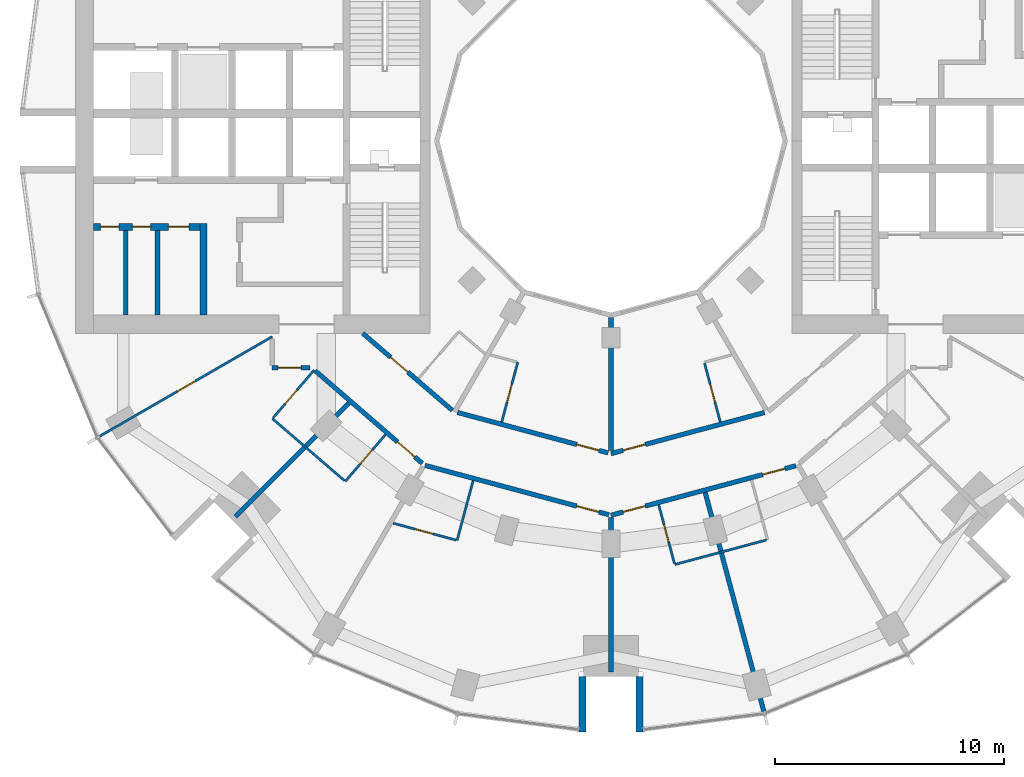
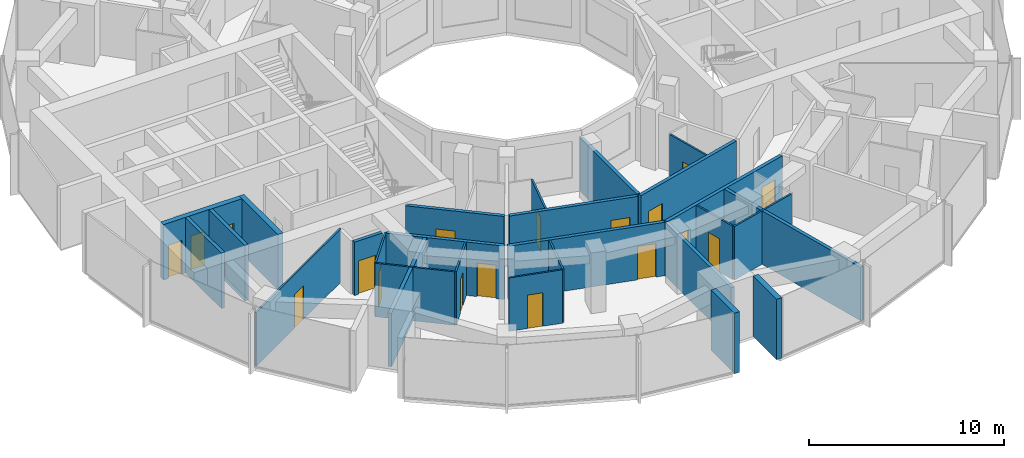
# One storey, part 8 of 15: 27 walls, 18 doors, 18 openings.
"""IFC4 building model written with IfcOpenShell, lengths in metres."""

from ifc_helpers import new_model, si_unit, direction, frame, frame_2d, origin, place, context, subcontext, project, spatial, rectangle, extrude, material, layer, layer_set, type_object, element, fill, save


model = new_model("IFC4")

# Units and contexts
model_context = context("Model", 3, precision=1e-05, world=origin(), true_north=direction((0.0, 1.0)))
body_context = subcontext(model_context, "Body", "Model", "MODEL_VIEW")
ifc_project = project(units=[si_unit("LENGTHUNIT", "METRE"), si_unit("AREAUNIT", "SQUARE_METRE"), si_unit("VOLUMEUNIT", "CUBIC_METRE"), si_unit("PLANEANGLEUNIT", "RADIAN"), si_unit("MASSUNIT", "GRAM", prefix="KILO")], contexts=[model_context])

# Site, building, storey
site_placement = place(None, origin())
site = spatial("IfcSite", under=ifc_project, at=site_placement, CompositionType="ELEMENT")
building_placement = place(site_placement, origin())
building = spatial("IfcBuilding", under=site, at=building_placement, Name="Torre Brocal", CompositionType="ELEMENT")
storey_placement = place(building_placement, frame((0.0, 0.0, 32.60009765625)))
storey = spatial("IfcBuildingStorey", under=building, at=storey_placement, Name="L06", CompositionType="ELEMENT", Elevation=32.60009765625)

# Walls
ifc_material_1 = material(Name="Masonry block", Category="masonry")
ifc_layer_1 = layer(ifc_material_1, 0.199951171875)
ifc_layer_set_1 = layer_set([ifc_layer_1], Name="Masonry block")
wall_type_1 = type_object("IfcWallType", Name="CORE PARTITION 200", PredefinedType="PARTITIONING", material=ifc_layer_set_1)
for number, where, z_axis, x_axis, name in (
    (1, (60.18994140625, 71.10009765625, 0.0), (0.0, 0.0, 1.0), (0.0, -1.0, 0.0), "Wall CP200"),
    (2, (58.794921875, 71.10009765625, 0.0), (0.0, 0.0, 1.0), (0.0, -1.0, 0.0), "Wall CP200"),
):
    element("IfcWall", number, at=place(storey_placement, frame(where, z_axis=z_axis, x_axis=x_axis)), inside=storey, type_object=wall_type_1, Name=name, PredefinedType="PARTITIONING", context=body_context, shape_type="SweptSolid", body=[
        extrude(rectangle(XDim=3.7001953125, YDim=0.199951171875, at=frame_2d((1.85009765625, 0.0))), origin(), (0.0, 0.0, 1.0), 3.47998046875),
    ])
ifc_material_2 = material(Name="Concrete C80", Category="concrete")
ifc_layer_2 = layer(ifc_material_2, 0.300048828125)
ifc_layer_set_2 = layer_set([ifc_layer_2], Name="Concrete C80")
wall_type_2 = type_object("IfcWallType", Name="CORE WALL 300 C80", PredefinedType="SHEAR", material=ifc_layer_set_2)
wall_1_placement = place(storey_placement, frame((62.199951171875, 71.39990234375, 0.0), z_axis=(0.0, 0.0, 1.0), x_axis=(0.0, -1.0, 0.0)))
element("IfcWall", 3, at=wall_1_placement, inside=storey, type_object=wall_type_2, Name="Wall CW300-80", PredefinedType="SHEAR", context=body_context, shape_type="SweptSolid", body=[
    extrude(rectangle(XDim=4.0, YDim=0.300048828125, at=frame_2d((2.0, 0.0))), origin(), (0.0, 0.0, 1.0), 3.47998046875),
])

# Wall, openings, doors
wall_2_placement = place(storey_placement, frame((62.050048828125, 71.25, 0.0), z_axis=(0.0, 0.0, 1.0), x_axis=(-1.0, 0.0, 0.0)))
wall_2 = element("IfcWall", 4, at=wall_2_placement, inside=storey, type_object=wall_type_2, Name="Wall CW300-80", PredefinedType="SHEAR", context=body_context, shape_type="SweptSolid", body=[
    extrude(rectangle(XDim=4.650146484375, YDim=0.300048828125, at=frame_2d((2.3251953125, 0.0))), origin(), (0.0, 0.0, 1.0), 3.47998046875),
])
opening_1_placement = place(wall_2_placement, frame((0.47998046875, 0.0, 0.0)))
opening_1 = element("IfcOpeningElement", 5, at=opening_1_placement, cuts=wall_2, Name="Opening W-D05", PredefinedType="OPENING", context=body_context, shape_type="SweptSolid", body=[
    extrude(rectangle(XDim=0.89990234375, YDim=2.10009765625, at=frame_2d((0.449951171875, 1.050048828125))), frame((0.0, 0.159912109375, 0.0), z_axis=(0.0, -1.0, 0.0), x_axis=(1.0, 0.0, 0.0)), (0.0, 0.0, 1.0), 0.320068359375),
])
opening_2_placement = place(wall_2_placement, frame((2.157470703125, 0.0, 0.0)))
opening_2 = element("IfcOpeningElement", 6, at=opening_2_placement, cuts=wall_2, Name="Opening W-D22", PredefinedType="OPENING", context=body_context, shape_type="SweptSolid", body=[
    extrude(rectangle(XDim=0.800048828125, YDim=2.10009765625, at=frame_2d((0.39990234375, 1.050048828125))), frame((0.0, 0.159912109375, 0.0), z_axis=(0.0, -1.0, 0.0), x_axis=(1.0, 0.0, 0.0)), (0.0, 0.0, 1.0), 0.320068359375),
])
opening_3_placement = place(wall_2_placement, frame((3.552490234375, 0.0, 0.0)))
opening_3 = element("IfcOpeningElement", 7, at=opening_3_placement, cuts=wall_2, Name="Opening W-D25", PredefinedType="OPENING", context=body_context, shape_type="SweptSolid", body=[
    extrude(rectangle(XDim=0.800048828125, YDim=2.10009765625, at=frame_2d((0.39990234375, 1.050048828125))), frame((0.0, 0.159912109375, 0.0), z_axis=(0.0, -1.0, 0.0), x_axis=(1.0, 0.0, 0.0)), (0.0, 0.0, 1.0), 0.320068359375),
])
ifc_material_3 = material(Name="Steel A653", Category="steel")
door_type_1 = type_object("IfcDoorType", Name="ROOM DOOR FD30S 800X2100", OperationType="SINGLE_SWING_LEFT", PredefinedType="DOOR", material=ifc_material_3)
door_1_placement = place(opening_2_placement, origin())
door_1 = element("IfcDoor", 8, at=door_1_placement, inside=storey, type_object=door_type_1, Name="Door W-D22", OperationType="SINGLE_SWING_RIGHT", OverallHeight=2.10009765625, OverallWidth=0.800048828125, PredefinedType="DOOR", context=body_context, shape_type="SweptSolid", body=[
    extrude(rectangle(XDim=0.800048828125, YDim=2.10009765625, at=frame_2d((0.39990234375, 1.050048828125))), frame((0.0, 0.02490234375, 0.0), z_axis=(0.0, -1.0, 0.0), x_axis=(1.0, 0.0, 0.0)), (0.0, 0.0, 1.0), 0.050048828125),
])
fill(opening_2, door_1)
door_2_placement = place(opening_3_placement, origin())
door_2 = element("IfcDoor", 9, at=door_2_placement, inside=storey, type_object=door_type_1, Name="Door W-D25", OperationType="SINGLE_SWING_LEFT", OverallHeight=2.10009765625, OverallWidth=0.800048828125, PredefinedType="DOOR", context=body_context, shape_type="SweptSolid", body=[
    extrude(rectangle(XDim=0.800048828125, YDim=2.10009765625, at=frame_2d((0.39990234375, 1.050048828125))), frame((0.0, 0.02490234375, 0.0), z_axis=(0.0, -1.0, 0.0), x_axis=(1.0, 0.0, 0.0)), (0.0, 0.0, 1.0), 0.050048828125),
])
fill(opening_3, door_2)
ifc_material_4 = material(Name="Steel A653", Category="steel")
door_type_2 = type_object("IfcDoorType", Name="ROOM DOOR FD30S 900X2100", OperationType="SINGLE_SWING_LEFT", PredefinedType="DOOR", material=ifc_material_4)
door_3_placement = place(opening_1_placement, origin())
door_3 = element("IfcDoor", 10, at=door_3_placement, inside=storey, type_object=door_type_2, Name="Door W-D05", OperationType="SINGLE_SWING_RIGHT", OverallHeight=2.10009765625, OverallWidth=0.89990234375, PredefinedType="DOOR", context=body_context, shape_type="SweptSolid", body=[
    extrude(rectangle(XDim=0.89990234375, YDim=2.10009765625, at=frame_2d((0.449951171875, 1.050048828125))), frame((0.0, 0.02490234375, 0.0), z_axis=(0.0, -1.0, 0.0), x_axis=(1.0, 0.0, 0.0)), (0.0, 0.0, 1.0), 0.050048828125),
])
fill(opening_1, door_3)

# Walls
ifc_material_5 = material(Name="Concrete C80", Category="concrete")
ifc_layer_3 = layer(ifc_material_5, 0.300048828125)
ifc_layer_set_3 = layer_set([ifc_layer_3], Name="Concrete C80")
wall_type_3 = type_object("IfcWallType", Name="NOTCH RETURN WALL 300 C80", PredefinedType="NOTDEFINED", material=ifc_layer_set_3)
for number, where, z_axis, x_axis, name in (
    (11, (78.75, 51.60009765625, 0.0), (0.0, 0.0, 1.0), (0.0, -1.0, 0.0), "NOTCH RETURN WALL"),
    (12, (81.25, 51.60009765625, 0.0), (0.0, 0.0, 1.0), (0.0, -1.0, 0.0), "NOTCH RETURN WALL"),
):
    element("IfcWall", number, at=place(storey_placement, frame(where, z_axis=z_axis, x_axis=x_axis)), inside=storey, type_object=wall_type_3, Name=name, PredefinedType="NOTDEFINED", context=body_context, shape_type="SweptSolid", body=[
        extrude(rectangle(XDim=2.415771484375, YDim=0.300048828125, at=frame_2d((1.2080078125, 0.0))), origin(), (0.0, 0.0, 1.0), 3.7998046875),
    ])

# Wall, opening, door
ifc_material_6 = material(Name="Gypsum board", Category="Gypsum")
ifc_layer_4 = layer(ifc_material_6, 0.10009765625)
ifc_layer_set_4 = layer_set([ifc_layer_4], Name="Gypsum board")
wall_type_4 = type_object("IfcWallType", Name="PARTITION 100", PredefinedType="PARTITIONING", material=ifc_layer_set_4)
wall_3_placement = place(storey_placement, frame((57.65869140625, 62.10107421875, 0.0), z_axis=(0.0, 0.0, 1.0), x_axis=(0.86602264145, 0.500004784474, 0.0)))
wall_3 = element("IfcWall", 13, at=wall_3_placement, inside=storey, type_object=wall_type_4, Name="ROOM PARTITION", PredefinedType="PARTITIONING", context=body_context, shape_type="SweptSolid", body=[
    extrude(rectangle(XDim=8.7080078125, YDim=0.10009765625, at=frame_2d((4.35400390625, 0.0))), origin(), (0.0, 0.0, 1.0), 3.349853515625),
])
opening_4_placement = place(wall_3_placement, frame((3.928955078125, 0.0, 0.0)))
opening_4 = element("IfcOpeningElement", 14, at=opening_4_placement, cuts=wall_3, Name="Opening H01-D42", PredefinedType="OPENING", context=body_context, shape_type="SweptSolid", body=[
    extrude(rectangle(XDim=0.89990234375, YDim=2.10009765625, at=frame_2d((0.449951171875, 1.050048828125))), frame((0.0, 0.06005859375, 0.0), z_axis=(0.0, -1.0, 0.0), x_axis=(1.0, 0.0, 0.0)), (0.0, 0.0, 1.0), 0.1201171875),
])
ifc_material_7 = material(Name="Timber", Category="wood")
door_type_3 = type_object("IfcDoorType", Name="ROOM DOOR 900X2100", OperationType="SINGLE_SWING_LEFT", PredefinedType="DOOR", material=ifc_material_7)
door_4_placement = place(opening_4_placement, origin())
door_4 = element("IfcDoor", 15, at=door_4_placement, inside=storey, type_object=door_type_3, Name="H01-D42", OperationType="SINGLE_SWING_RIGHT", OverallHeight=2.10009765625, OverallWidth=0.89990234375, PredefinedType="DOOR", context=body_context, shape_type="SweptSolid", body=[
    extrude(rectangle(XDim=0.89990234375, YDim=2.10009765625, at=frame_2d((0.449951171875, 1.050048828125))), frame((0.0, 0.02490234375, 0.0), z_axis=(0.0, -1.0, 0.0), x_axis=(1.0, 0.0, 0.0)), (0.0, 0.0, 1.0), 0.050048828125),
])
fill(opening_4, door_4)

wall_4_placement = place(storey_placement, frame((65.24169921875, 62.911865234375, 0.0), z_axis=(0.0, 0.0, 1.0), x_axis=(0.652069888227, 0.758158862553, 0.0)))
wall_4 = element("IfcWall", 16, at=wall_4_placement, inside=storey, type_object=wall_type_4, Name="BATHROOM WALL", PredefinedType="PARTITIONING", context=body_context, shape_type="SweptSolid", body=[
    extrude(rectangle(XDim=2.75, YDim=0.10009765625, at=frame_2d((1.375, 0.0))), origin(), (0.0, 0.0, 1.0), 3.349853515625),
])
opening_5_placement = place(wall_4_placement, frame((0.800048828125, 0.0, 0.0)))
opening_5 = element("IfcOpeningElement", 17, at=opening_5_placement, cuts=wall_4, Name="Opening H01-D41", PredefinedType="OPENING", context=body_context, shape_type="SweptSolid", body=[
    extrude(rectangle(XDim=0.800048828125, YDim=2.10009765625, at=frame_2d((0.39990234375, 1.050048828125))), frame((0.0, 0.06005859375, 0.0), z_axis=(0.0, -1.0, 0.0), x_axis=(1.0, 0.0, 0.0)), (0.0, 0.0, 1.0), 0.1201171875),
])
ifc_material_8 = material(Name="Timber", Category="wood")
door_type_4 = type_object("IfcDoorType", Name="BATHROOM DOOR 800X2100", OperationType="SINGLE_SWING_LEFT", PredefinedType="DOOR", material=ifc_material_8)
door_5_placement = place(opening_5_placement, frame((0.800048828125, 0.0, 0.0), z_axis=(0.0, 0.0, 1.0), x_axis=(-1.0, 0.0, 0.0)))
door_5 = element("IfcDoor", 18, at=door_5_placement, inside=storey, type_object=door_type_4, Name="H01-D41", OperationType="SINGLE_SWING_RIGHT", OverallHeight=2.10009765625, OverallWidth=0.800048828125, PredefinedType="DOOR", context=body_context, shape_type="SweptSolid", body=[
    extrude(rectangle(XDim=0.800048828125, YDim=2.10009765625, at=frame_2d((0.39990234375, 1.050048828125))), frame((0.0, 0.02490234375, 0.0), z_axis=(0.0, -1.0, 0.0), x_axis=(1.0, 0.0, 0.0)), (0.0, 0.0, 1.0), 0.050048828125),
])
fill(opening_5, door_5)

# Wall
wall_5_placement = place(storey_placement, frame((65.209228515625, 62.87451171875, 0.0), z_axis=(0.0, 0.0, 1.0), x_axis=(0.757930378138, -0.652335451969, 0.0)))
element("IfcWall", 19, at=wall_5_placement, inside=storey, type_object=wall_type_4, Name="BATHROOM WALL", PredefinedType="PARTITIONING", context=body_context, shape_type="SweptSolid", body=[
    extrude(rectangle(XDim=4.150146484375, YDim=0.10009765625, at=frame_2d((2.0751953125, 0.0))), origin(), (0.0, 0.0, 1.0), 3.349853515625),
])

# Wall, opening, door
wall_6_placement = place(storey_placement, frame((68.39306640625, 60.135009765625, 0.0), z_axis=(0.0, 0.0, 1.0), x_axis=(0.652061182569, 0.758166349944, 0.0)))
wall_6 = element("IfcWall", 20, at=wall_6_placement, inside=storey, type_object=wall_type_4, Name="BATHROOM WALL", PredefinedType="PARTITIONING", context=body_context, shape_type="SweptSolid", body=[
    extrude(rectangle(XDim=2.689697265625, YDim=0.10009765625, at=frame_2d((1.3447265625, 0.0))), origin(), (0.0, 0.0, 1.0), 3.349853515625),
])
opening_6_placement = place(wall_6_placement, frame((1.0, 0.0, 0.0)))
opening_6 = element("IfcOpeningElement", 21, at=opening_6_placement, cuts=wall_6, Name="Opening H01-D39", PredefinedType="OPENING", context=body_context, shape_type="SweptSolid", body=[
    extrude(rectangle(XDim=0.800048828125, YDim=2.10009765625, at=frame_2d((0.39990234375, 1.050048828125))), frame((0.0, 0.06005859375, 0.0), z_axis=(0.0, -1.0, 0.0), x_axis=(1.0, 0.0, 0.0)), (0.0, 0.0, 1.0), 0.1201171875),
])
door_6_placement = place(opening_6_placement, origin())
door_6 = element("IfcDoor", 22, at=door_6_placement, inside=storey, type_object=door_type_4, Name="H01-D39", OperationType="SINGLE_SWING_RIGHT", OverallHeight=2.10009765625, OverallWidth=0.800048828125, PredefinedType="DOOR", context=body_context, shape_type="SweptSolid", body=[
    extrude(rectangle(XDim=0.800048828125, YDim=2.10009765625, at=frame_2d((0.39990234375, 1.050048828125))), frame((0.0, 0.02490234375, 0.0), z_axis=(0.0, -1.0, 0.0), x_axis=(1.0, 0.0, 0.0)), (0.0, 0.0, 1.0), 0.050048828125),
])
fill(opening_6, door_6)

wall_7_placement = place(storey_placement, frame((70.484375, 58.305419921875, 0.0), z_axis=(0.0, 0.0, 1.0), x_axis=(0.965904703781, -0.258897862512, 0.0)))
wall_7 = element("IfcWall", 23, at=wall_7_placement, inside=storey, type_object=wall_type_4, Name="BATHROOM WALL", PredefinedType="PARTITIONING", context=body_context, shape_type="SweptSolid", body=[
    extrude(rectangle(XDim=2.84130859375, YDim=0.10009765625, at=frame_2d((1.420654296875, 0.0))), origin(), (0.0, 0.0, 1.0), 3.349853515625),
])
opening_7_placement = place(wall_7_placement, frame((0.990478515625, 0.0, 0.0)))
opening_7 = element("IfcOpeningElement", 24, at=opening_7_placement, cuts=wall_7, Name="Opening H01-D37", PredefinedType="OPENING", context=body_context, shape_type="SweptSolid", body=[
    extrude(rectangle(XDim=0.800048828125, YDim=2.10009765625, at=frame_2d((0.39990234375, 1.050048828125))), frame((0.0, 0.06005859375, 0.0), z_axis=(0.0, -1.0, 0.0), x_axis=(1.0, 0.0, 0.0)), (0.0, 0.0, 1.0), 0.1201171875),
])
door_7_placement = place(opening_7_placement, origin())
door_7 = element("IfcDoor", 25, at=door_7_placement, inside=storey, type_object=door_type_4, Name="H01-D37", OperationType="SINGLE_SWING_LEFT", OverallHeight=2.10009765625, OverallWidth=0.800048828125, PredefinedType="DOOR", context=body_context, shape_type="SweptSolid", body=[
    extrude(rectangle(XDim=0.800048828125, YDim=2.10009765625, at=frame_2d((0.39990234375, 1.050048828125))), frame((0.0, 0.02490234375, 0.0), z_axis=(0.0, -1.0, 0.0), x_axis=(1.0, 0.0, 0.0)), (0.0, 0.0, 1.0), 0.050048828125),
])
fill(opening_7, door_7)

# Wall
wall_8_placement = place(storey_placement, frame((73.277099609375, 57.556884765625, 0.0), z_axis=(0.0, 0.0, 1.0), x_axis=(0.258928960762, 0.965896367774, 0.0)))
element("IfcWall", 26, at=wall_8_placement, inside=storey, type_object=wall_type_4, Name="BATHROOM WALL", PredefinedType="PARTITIONING", context=body_context, shape_type="SweptSolid", body=[
    extrude(rectangle(XDim=2.699462890625, YDim=0.10009765625, at=frame_2d((1.349609375, 0.0))), origin(), (0.0, 0.0, 1.0), 3.349853515625),
])

# Wall, opening, door
wall_9_placement = place(storey_placement, frame((75.226806640625, 62.728759765625, 0.0), z_axis=(0.0, 0.0, 1.0), x_axis=(0.258945475746, 0.965891940432, 0.0)))
wall_9 = element("IfcWall", 27, at=wall_9_placement, inside=storey, type_object=wall_type_4, Name="BATHROOM WALL", PredefinedType="PARTITIONING", context=body_context, shape_type="SweptSolid", body=[
    extrude(rectangle(XDim=2.7001953125, YDim=0.10009765625, at=frame_2d((1.35009765625, 0.0))), origin(), (0.0, 0.0, 1.0), 3.349853515625),
])
opening_8_placement = place(wall_9_placement, frame((0.900146484375, 0.0, 0.0)))
opening_8 = element("IfcOpeningElement", 28, at=opening_8_placement, cuts=wall_9, Name="Opening H01-D47", PredefinedType="OPENING", context=body_context, shape_type="SweptSolid", body=[
    extrude(rectangle(XDim=0.800048828125, YDim=2.10009765625, at=frame_2d((0.39990234375, 1.050048828125))), frame((0.0, 0.06005859375, 0.0), z_axis=(0.0, -1.0, 0.0), x_axis=(1.0, 0.0, 0.0)), (0.0, 0.0, 1.0), 0.1201171875),
])
door_8_placement = place(opening_8_placement, origin())
door_8 = element("IfcDoor", 29, at=door_8_placement, inside=storey, type_object=door_type_4, Name="H01-D47", OperationType="SINGLE_SWING_LEFT", OverallHeight=2.10009765625, OverallWidth=0.800048828125, PredefinedType="DOOR", context=body_context, shape_type="SweptSolid", body=[
    extrude(rectangle(XDim=0.800048828125, YDim=2.10009765625, at=frame_2d((0.39990234375, 1.050048828125))), frame((0.0, 0.02490234375, 0.0), z_axis=(0.0, -1.0, 0.0), x_axis=(1.0, 0.0, 0.0)), (0.0, 0.0, 1.0), 0.050048828125),
])
fill(opening_8, door_8)

wall_10_placement = place(storey_placement, frame((82.083984375, 59.1083984375, 0.0), z_axis=(0.0, 0.0, 1.0), x_axis=(0.258591746437, -0.965986702121, 0.0)))
wall_10 = element("IfcWall", 30, at=wall_10_placement, inside=storey, type_object=wall_type_4, Name="BATHROOM WALL", PredefinedType="PARTITIONING", context=body_context, shape_type="SweptSolid", body=[
    extrude(rectangle(XDim=2.649169921875, YDim=0.10009765625, at=frame_2d((1.32470703125, 0.0))), origin(), (0.0, 0.0, 1.0), 3.349853515625),
])
opening_9_placement = place(wall_10_placement, frame((0.899658203125, 0.0, 0.0)))
opening_9 = element("IfcOpeningElement", 31, at=opening_9_placement, cuts=wall_10, Name="Opening H01-D35", PredefinedType="OPENING", context=body_context, shape_type="SweptSolid", body=[
    extrude(rectangle(XDim=0.800048828125, YDim=2.10009765625, at=frame_2d((0.39990234375, 1.050048828125))), frame((0.0, 0.06005859375, 0.0), z_axis=(0.0, -1.0, 0.0), x_axis=(1.0, 0.0, 0.0)), (0.0, 0.0, 1.0), 0.1201171875),
])
door_9_placement = place(opening_9_placement, origin())
door_9 = element("IfcDoor", 32, at=door_9_placement, inside=storey, type_object=door_type_4, Name="H01-D35", OperationType="SINGLE_SWING_LEFT", OverallHeight=2.10009765625, OverallWidth=0.800048828125, PredefinedType="DOOR", context=body_context, shape_type="SweptSolid", body=[
    extrude(rectangle(XDim=0.800048828125, YDim=2.10009765625, at=frame_2d((0.39990234375, 1.050048828125))), frame((0.0, 0.02490234375, 0.0), z_axis=(0.0, -1.0, 0.0), x_axis=(1.0, 0.0, 0.0)), (0.0, 0.0, 1.0), 0.050048828125),
])
fill(opening_9, door_9)

# Wall
wall_11_placement = place(storey_placement, frame((82.781982421875, 56.5009765625, 0.0), z_axis=(0.0, 0.0, 1.0), x_axis=(0.965999228418, 0.258544949083, 0.0)))
element("IfcWall", 33, at=wall_11_placement, inside=storey, type_object=wall_type_4, Name="BATHROOM WALL", PredefinedType="PARTITIONING", context=body_context, shape_type="SweptSolid", body=[
    extrude(rectangle(XDim=4.150146484375, YDim=0.10009765625, at=frame_2d((2.0751953125, 0.0))), origin(), (0.0, 0.0, 1.0), 3.349853515625),
])

# Wall, opening, door
wall_12_placement = place(storey_placement, frame((84.0869140625, 65.288818359375, 0.0), z_axis=(0.0, 0.0, 1.0), x_axis=(0.258929459649, -0.965896234037, 0.0)))
wall_12 = element("IfcWall", 34, at=wall_12_placement, inside=storey, type_object=wall_type_4, Name="BATHROOM WALL", PredefinedType="PARTITIONING", context=body_context, shape_type="SweptSolid", body=[
    extrude(rectangle(XDim=2.650390625, YDim=0.10009765625, at=frame_2d((1.3251953125, 0.0))), origin(), (0.0, 0.0, 1.0), 3.349853515625),
])
opening_10_placement = place(wall_12_placement, frame((0.9501953125, 0.0, 0.0)))
opening_10 = element("IfcOpeningElement", 35, at=opening_10_placement, cuts=wall_12, Name="Opening H01-D45", PredefinedType="OPENING", context=body_context, shape_type="SweptSolid", body=[
    extrude(rectangle(XDim=0.800048828125, YDim=2.10009765625, at=frame_2d((0.39990234375, 1.050048828125))), frame((0.0, 0.06005859375, 0.0), z_axis=(0.0, -1.0, 0.0), x_axis=(1.0, 0.0, 0.0)), (0.0, 0.0, 1.0), 0.1201171875),
])
door_10_placement = place(opening_10_placement, origin())
door_10 = element("IfcDoor", 36, at=door_10_placement, inside=storey, type_object=door_type_4, Name="H01-D45", OperationType="SINGLE_SWING_RIGHT", OverallHeight=2.10009765625, OverallWidth=0.800048828125, PredefinedType="DOOR", context=body_context, shape_type="SweptSolid", body=[
    extrude(rectangle(XDim=0.800048828125, YDim=2.10009765625, at=frame_2d((0.39990234375, 1.050048828125))), frame((0.0, 0.02490234375, 0.0), z_axis=(0.0, -1.0, 0.0), x_axis=(1.0, 0.0, 0.0)), (0.0, 0.0, 1.0), 0.050048828125),
])
fill(opening_10, door_10)

# Wall
ifc_material_9 = material(Name="Gypsum board", Category="Gypsum")
ifc_layer_5 = layer(ifc_material_9, 0.199951171875)
ifc_layer_set_5 = layer_set([ifc_layer_5], Name="Gypsum board")
wall_type_5 = type_object("IfcWallType", Name="PARTITION 200 EI60", PredefinedType="PARTITIONING", material=ifc_layer_set_5)
wall_13_placement = place(storey_placement, frame((63.59228515625, 58.59912109375, 0.0), z_axis=(0.0, 0.0, 1.0), x_axis=(0.707228748718, 0.706984792613, 0.0)))
element("IfcWall", 37, at=wall_13_placement, inside=storey, type_object=wall_type_5, Name="BATHROOM WALL", PredefinedType="PARTITIONING", context=body_context, shape_type="SweptSolid", body=[
    extrude(rectangle(XDim=7.00537109375, YDim=0.199951171875, at=frame_2d((3.502685546875, 0.0))), origin(), (0.0, 0.0, 1.0), 3.349853515625),
])

# Wall, opening, door
wall_14_placement = place(storey_placement, frame((65.199951171875, 65.10009765625, 0.0), z_axis=(0.0, 0.0, 1.0), x_axis=(1.0, 0.0, 0.0)))
wall_14 = element("IfcWall", 38, at=wall_14_placement, inside=storey, type_object=wall_type_5, Name="GUESTROOM CORRIDOR WALL", PredefinedType="PARTITIONING", context=body_context, shape_type="SweptSolid", body=[
    extrude(rectangle(XDim=1.655029296875, YDim=0.199951171875, at=frame_2d((0.82763671875, 0.0))), origin(), (0.0, 0.0, 1.0), 3.349853515625),
])
opening_11_placement = place(wall_14_placement, frame((0.25, 0.0, 0.0)))
opening_11 = element("IfcOpeningElement", 39, at=opening_11_placement, cuts=wall_14, Name="Opening H01-D40", PredefinedType="OPENING", context=body_context, shape_type="SweptSolid", body=[
    extrude(rectangle(XDim=1.0, YDim=2.10009765625, at=frame_2d((0.5, 1.050048828125))), frame((0.0, 0.10986328125, 0.0), z_axis=(0.0, -1.0, 0.0), x_axis=(1.0, 0.0, 0.0)), (0.0, 0.0, 1.0), 0.219970703125),
])
ifc_material_10 = material(Name="Timber", Category="wood")
door_type_5 = type_object("IfcDoorType", Name="FLAT ENTRY DOOR FD30S 1000X2100", OperationType="SINGLE_SWING_RIGHT", PredefinedType="DOOR", material=ifc_material_10)
door_11_placement = place(opening_11_placement, frame((1.0, 0.0, 0.0), z_axis=(0.0, 0.0, 1.0), x_axis=(-1.0, 0.0, 0.0)))
door_11 = element("IfcDoor", 40, at=door_11_placement, inside=storey, type_object=door_type_5, Name="H01-D40", OperationType="SINGLE_SWING_RIGHT", OverallHeight=2.10009765625, OverallWidth=1.0, PredefinedType="DOOR", context=body_context, shape_type="SweptSolid", body=[
    extrude(rectangle(XDim=1.0, YDim=2.10009765625, at=frame_2d((0.5, 1.050048828125))), frame((0.0, 0.02490234375, 0.0), z_axis=(0.0, -1.0, 0.0), x_axis=(1.0, 0.0, 0.0)), (0.0, 0.0, 1.0), 0.050048828125),
])
fill(opening_11, door_11)

wall_15_placement = place(storey_placement, frame((67.078125, 64.967529296875, 0.0), z_axis=(0.0, 0.0, 1.0), x_axis=(0.756371089567, -0.654142778656, 0.0)))
wall_15 = element("IfcWall", 41, at=wall_15_placement, inside=storey, type_object=wall_type_5, Name="GUESTROOM CORRIDOR WALL", PredefinedType="PARTITIONING", context=body_context, shape_type="SweptSolid", body=[
    extrude(rectangle(XDim=6.185302734375, YDim=0.199951171875, at=frame_2d((3.0927734375, 0.0))), origin(), (0.0, 0.0, 1.0), 3.349853515625),
])
opening_12_placement = place(wall_15_placement, frame((4.755126953125, 0.0, 0.0)))
opening_12 = element("IfcOpeningElement", 42, at=opening_12_placement, cuts=wall_15, Name="Opening H01-D38", PredefinedType="OPENING", context=body_context, shape_type="SweptSolid", body=[
    extrude(rectangle(XDim=1.0, YDim=2.10009765625, at=frame_2d((0.5, 1.050048828125))), frame((0.0, 0.10986328125, 0.0), z_axis=(0.0, -1.0, 0.0), x_axis=(1.0, 0.0, 0.0)), (0.0, 0.0, 1.0), 0.219970703125),
])
door_12_placement = place(opening_12_placement, frame((1.0, 0.0, 0.0), z_axis=(0.0, 0.0, 1.0), x_axis=(-1.0, 0.0, 0.0)))
door_12 = element("IfcDoor", 43, at=door_12_placement, inside=storey, type_object=door_type_5, Name="H01-D38", OperationType="SINGLE_SWING_LEFT", OverallHeight=2.10009765625, OverallWidth=1.0, PredefinedType="DOOR", context=body_context, shape_type="SweptSolid", body=[
    extrude(rectangle(XDim=1.0, YDim=2.10009765625, at=frame_2d((0.5, 1.050048828125))), frame((0.0, 0.02490234375, 0.0), z_axis=(0.0, -1.0, 0.0), x_axis=(1.0, 0.0, 0.0)), (0.0, 0.0, 1.0), 0.050048828125),
])
fill(opening_12, door_12)

wall_16_placement = place(storey_placement, frame((69.158203125, 66.60009765625, 0.0), z_axis=(0.0, 0.0, 1.0), x_axis=(0.757976058094, -0.652282373943, 0.0)))
wall_16 = element("IfcWall", 44, at=wall_16_placement, inside=storey, type_object=wall_type_5, Name="GUESTROOM CORRIDOR WALL", PredefinedType="PARTITIONING", context=body_context, shape_type="SweptSolid", body=[
    extrude(rectangle(XDim=5.160400390625, YDim=0.199951171875, at=frame_2d((2.580078125, 0.0))), origin(), (0.0, 0.0, 1.0), 3.349853515625),
])
opening_13_placement = place(wall_16_placement, frame((1.60009765625, 0.0, 0.0)))
opening_13 = element("IfcOpeningElement", 45, at=opening_13_placement, cuts=wall_16, Name="Opening H01-D48", PredefinedType="OPENING", context=body_context, shape_type="SweptSolid", body=[
    extrude(rectangle(XDim=1.0, YDim=2.10009765625, at=frame_2d((0.5, 1.050048828125))), frame((0.0, 0.10986328125, 0.0), z_axis=(0.0, -1.0, 0.0), x_axis=(1.0, 0.0, 0.0)), (0.0, 0.0, 1.0), 0.219970703125),
])
door_13_placement = place(opening_13_placement, origin())
door_13 = element("IfcDoor", 46, at=door_13_placement, inside=storey, type_object=door_type_5, Name="H01-D48", OperationType="SINGLE_SWING_RIGHT", OverallHeight=2.10009765625, OverallWidth=1.0, PredefinedType="DOOR", context=body_context, shape_type="SweptSolid", body=[
    extrude(rectangle(XDim=1.0, YDim=2.10009765625, at=frame_2d((0.5, 1.050048828125))), frame((0.0, 0.02490234375, 0.0), z_axis=(0.0, -1.0, 0.0), x_axis=(1.0, 0.0, 0.0)), (0.0, 0.0, 1.0), 0.050048828125),
])
fill(opening_13, door_13)

wall_17_placement = place(storey_placement, frame((71.877197265625, 60.831298828125, 0.0), z_axis=(0.0, 0.0, 1.0), x_axis=(0.965852509869, -0.259092510851, 0.0)))
wall_17 = element("IfcWall", 47, at=wall_17_placement, inside=storey, type_object=wall_type_5, Name="GUESTROOM CORRIDOR WALL", PredefinedType="PARTITIONING", context=body_context, shape_type="SweptSolid", body=[
    extrude(rectangle(XDim=8.319580078125, YDim=0.199951171875, at=frame_2d((4.15966796875, 0.0))), origin(), (0.0, 0.0, 1.0), 3.349853515625),
])
opening_14_placement = place(wall_17_placement, frame((6.859619140625, 0.0, 0.0)))
opening_14 = element("IfcOpeningElement", 48, at=opening_14_placement, cuts=wall_17, Name="Opening H01-D36", PredefinedType="OPENING", context=body_context, shape_type="SweptSolid", body=[
    extrude(rectangle(XDim=1.0, YDim=2.10009765625, at=frame_2d((0.5, 1.050048828125))), frame((0.0, 0.10986328125, 0.0), z_axis=(0.0, -1.0, 0.0), x_axis=(1.0, 0.0, 0.0)), (0.0, 0.0, 1.0), 0.219970703125),
])
door_14_placement = place(opening_14_placement, frame((1.0, 0.0, 0.0), z_axis=(0.0, 0.0, 1.0), x_axis=(-1.0, 0.0, 0.0)))
door_14 = element("IfcDoor", 49, at=door_14_placement, inside=storey, type_object=door_type_5, Name="H01-D36", OperationType="SINGLE_SWING_LEFT", OverallHeight=2.10009765625, OverallWidth=1.0, PredefinedType="DOOR", context=body_context, shape_type="SweptSolid", body=[
    extrude(rectangle(XDim=1.0, YDim=2.10009765625, at=frame_2d((0.5, 1.050048828125))), frame((0.0, 0.02490234375, 0.0), z_axis=(0.0, -1.0, 0.0), x_axis=(1.0, 0.0, 0.0)), (0.0, 0.0, 1.0), 0.050048828125),
])
fill(opening_14, door_14)

wall_18_placement = place(storey_placement, frame((73.296875, 63.142578125, 0.0), z_axis=(0.0, 0.0, 1.0), x_axis=(0.965859030528, -0.25906820173, 0.0)))
wall_18 = element("IfcWall", 50, at=wall_18_placement, inside=storey, type_object=wall_type_5, Name="GUESTROOM CORRIDOR WALL", PredefinedType="PARTITIONING", context=body_context, shape_type="SweptSolid", body=[
    extrude(rectangle(XDim=6.8095703125, YDim=0.199951171875, at=frame_2d((3.40478515625, 0.0))), origin(), (0.0, 0.0, 1.0), 3.349853515625),
])
opening_15_placement = place(wall_18_placement, frame((5.3896484375, 0.0, 0.0)))
opening_15 = element("IfcOpeningElement", 51, at=opening_15_placement, cuts=wall_18, Name="Opening H01-D46", PredefinedType="OPENING", context=body_context, shape_type="SweptSolid", body=[
    extrude(rectangle(XDim=1.0, YDim=2.10009765625, at=frame_2d((0.5, 1.050048828125))), frame((0.0, 0.10986328125, 0.0), z_axis=(0.0, -1.0, 0.0), x_axis=(1.0, 0.0, 0.0)), (0.0, 0.0, 1.0), 0.219970703125),
])
door_15_placement = place(opening_15_placement, origin())
door_15 = element("IfcDoor", 52, at=door_15_placement, inside=storey, type_object=door_type_5, Name="H01-D46", OperationType="SINGLE_SWING_RIGHT", OverallHeight=2.10009765625, OverallWidth=1.0, PredefinedType="DOOR", context=body_context, shape_type="SweptSolid", body=[
    extrude(rectangle(XDim=1.0, YDim=2.10009765625, at=frame_2d((0.5, 1.050048828125))), frame((0.0, 0.02490234375, 0.0), z_axis=(0.0, -1.0, 0.0), x_axis=(1.0, 0.0, 0.0)), (0.0, 0.0, 1.0), 0.050048828125),
])
fill(opening_15, door_15)

# Wall
wall_19_placement = place(storey_placement, frame((80.0, 51.801025390625, 0.0), z_axis=(0.0, 0.0, 1.0), x_axis=(0.0, 1.0, 0.0)))
element("IfcWall", 53, at=wall_19_placement, inside=storey, type_object=wall_type_5, Name="PARTY PARTITION", PredefinedType="PARTITIONING", context=body_context, shape_type="SweptSolid", body=[
    extrude(rectangle(XDim=6.761962890625, YDim=0.199951171875, at=frame_2d((3.380859375, 0.0))), origin(), (0.0, 0.0, 1.0), 3.349853515625),
])

# Wall, openings, doors
wall_20_placement = place(storey_placement, frame((79.999755859375, 58.65478515625, 0.0), z_axis=(0.0, 0.0, 1.0), x_axis=(0.965974635626, 0.258636817424, 0.0)))
wall_20 = element("IfcWall", 54, at=wall_20_placement, inside=storey, type_object=wall_type_5, Name="GUESTROOM CORRIDOR WALL", PredefinedType="PARTITIONING", context=body_context, shape_type="SweptSolid", body=[
    extrude(rectangle(XDim=8.359619140625, YDim=0.199951171875, at=frame_2d((4.1796875, 0.0))), origin(), (0.0, 0.0, 1.0), 3.349853515625),
])
opening_16_placement = place(wall_20_placement, frame((6.859619140625, 0.0, 0.0)))
opening_16 = element("IfcOpeningElement", 55, at=opening_16_placement, cuts=wall_20, Name="Opening H01-D32", PredefinedType="OPENING", context=body_context, shape_type="SweptSolid", body=[
    extrude(rectangle(XDim=1.0, YDim=2.10009765625, at=frame_2d((0.5, 1.050048828125))), frame((0.0, 0.10986328125, 0.0), z_axis=(0.0, -1.0, 0.0), x_axis=(1.0, 0.0, 0.0)), (0.0, 0.0, 1.0), 0.219970703125),
])
opening_17_placement = place(wall_20_placement, frame((0.550048828125, 0.0, 0.0)))
opening_17 = element("IfcOpeningElement", 56, at=opening_17_placement, cuts=wall_20, Name="Opening H01-D34", PredefinedType="OPENING", context=body_context, shape_type="SweptSolid", body=[
    extrude(rectangle(XDim=1.0, YDim=2.10009765625, at=frame_2d((0.5, 1.050048828125))), frame((0.0, 0.10986328125, 0.0), z_axis=(0.0, -1.0, 0.0), x_axis=(1.0, 0.0, 0.0)), (0.0, 0.0, 1.0), 0.219970703125),
])
door_16_placement = place(opening_16_placement, frame((1.0, 0.0, 0.0), z_axis=(0.0, 0.0, 1.0), x_axis=(-1.0, 0.0, 0.0)))
door_16 = element("IfcDoor", 57, at=door_16_placement, inside=storey, type_object=door_type_5, Name="H01-D32", OperationType="SINGLE_SWING_RIGHT", OverallHeight=2.10009765625, OverallWidth=1.0, PredefinedType="DOOR", context=body_context, shape_type="SweptSolid", body=[
    extrude(rectangle(XDim=1.0, YDim=2.10009765625, at=frame_2d((0.5, 1.050048828125))), frame((0.0, 0.02490234375, 0.0), z_axis=(0.0, -1.0, 0.0), x_axis=(1.0, 0.0, 0.0)), (0.0, 0.0, 1.0), 0.050048828125),
])
fill(opening_16, door_16)
door_17_placement = place(opening_17_placement, frame((1.0, 0.0, 0.0), z_axis=(0.0, 0.0, 1.0), x_axis=(-1.0, 0.0, 0.0)))
door_17 = element("IfcDoor", 58, at=door_17_placement, inside=storey, type_object=door_type_5, Name="H01-D34", OperationType="SINGLE_SWING_LEFT", OverallHeight=2.10009765625, OverallWidth=1.0, PredefinedType="DOOR", context=body_context, shape_type="SweptSolid", body=[
    extrude(rectangle(XDim=1.0, YDim=2.10009765625, at=frame_2d((0.5, 1.050048828125))), frame((0.0, 0.02490234375, 0.0), z_axis=(0.0, -1.0, 0.0), x_axis=(1.0, 0.0, 0.0)), (0.0, 0.0, 1.0), 0.050048828125),
])
fill(opening_17, door_17)

# Wall
wall_21_placement = place(storey_placement, frame((80.0, 61.47607421875, 0.0), z_axis=(0.0, 0.0, 1.0), x_axis=(0.0, 1.0, 0.0)))
element("IfcWall", 59, at=wall_21_placement, inside=storey, type_object=wall_type_5, Name="PARTY PARTITION", PredefinedType="PARTITIONING", context=body_context, shape_type="SweptSolid", body=[
    extrude(rectangle(XDim=5.824951171875, YDim=0.199951171875, at=frame_2d((2.91259765625, 0.0))), origin(), (0.0, 0.0, 1.0), 3.349853515625),
])

# Wall, opening, door
wall_22_placement = place(storey_placement, frame((80.0, 61.345947265625, 0.0), z_axis=(0.0, 0.0, 1.0), x_axis=(0.965924181808, 0.258825182312, 0.0)))
wall_22 = element("IfcWall", 60, at=wall_22_placement, inside=storey, type_object=wall_type_5, Name="GUESTROOM CORRIDOR WALL", PredefinedType="PARTITIONING", context=body_context, shape_type="SweptSolid", body=[
    extrude(rectangle(XDim=6.939697265625, YDim=0.199951171875, at=frame_2d((3.4697265625, 0.0))), origin(), (0.0, 0.0, 1.0), 3.349853515625),
])
opening_18_placement = place(wall_22_placement, frame((0.550048828125, 0.0, 0.0)))
opening_18 = element("IfcOpeningElement", 61, at=opening_18_placement, cuts=wall_22, Name="Opening H01-D44", PredefinedType="OPENING", context=body_context, shape_type="SweptSolid", body=[
    extrude(rectangle(XDim=1.0, YDim=2.10009765625, at=frame_2d((0.5, 1.050048828125))), frame((0.0, 0.10986328125, 0.0), z_axis=(0.0, -1.0, 0.0), x_axis=(1.0, 0.0, 0.0)), (0.0, 0.0, 1.0), 0.219970703125),
])
door_18_placement = place(opening_18_placement, origin())
door_18 = element("IfcDoor", 62, at=door_18_placement, inside=storey, type_object=door_type_5, Name="H01-D44", OperationType="SINGLE_SWING_LEFT", OverallHeight=2.10009765625, OverallWidth=1.0, PredefinedType="DOOR", context=body_context, shape_type="SweptSolid", body=[
    extrude(rectangle(XDim=1.0, YDim=2.10009765625, at=frame_2d((0.5, 1.050048828125))), frame((0.0, 0.02490234375, 0.0), z_axis=(0.0, -1.0, 0.0), x_axis=(1.0, 0.0, 0.0)), (0.0, 0.0, 1.0), 0.050048828125),
])
fill(opening_18, door_18)

# Wall
wall_23_placement = place(storey_placement, frame((84.112060546875, 59.65234375, 0.0), z_axis=(0.0, 0.0, 1.0), x_axis=(0.258791091927, -0.965933315886, 0.0)))
element("IfcWall", 63, at=wall_23_placement, inside=storey, type_object=wall_type_5, Name="BATHROOM WALL", PredefinedType="PARTITIONING", context=body_context, shape_type="SweptSolid", body=[
    extrude(rectangle(XDim=9.909423828125, YDim=0.199951171875, at=frame_2d((4.95458984375, 0.0))), origin(), (0.0, 0.0, 1.0), 3.349853515625),
])

save(model, "model.ifc")
